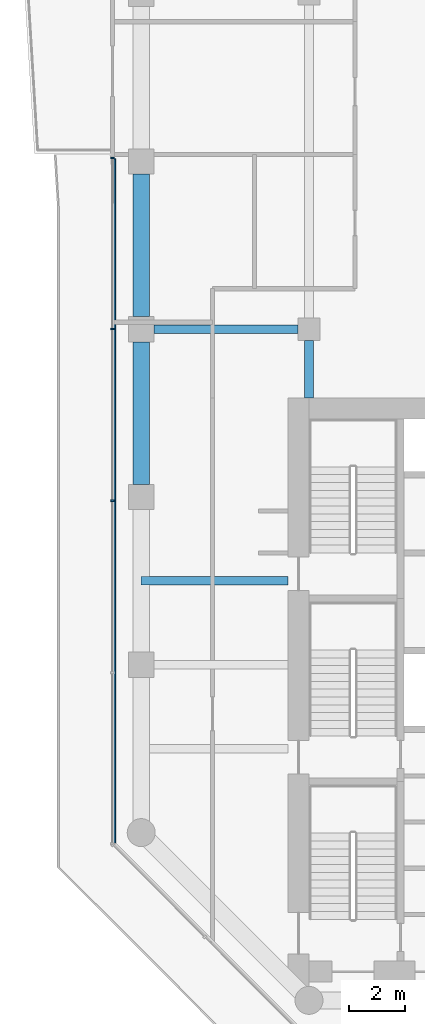
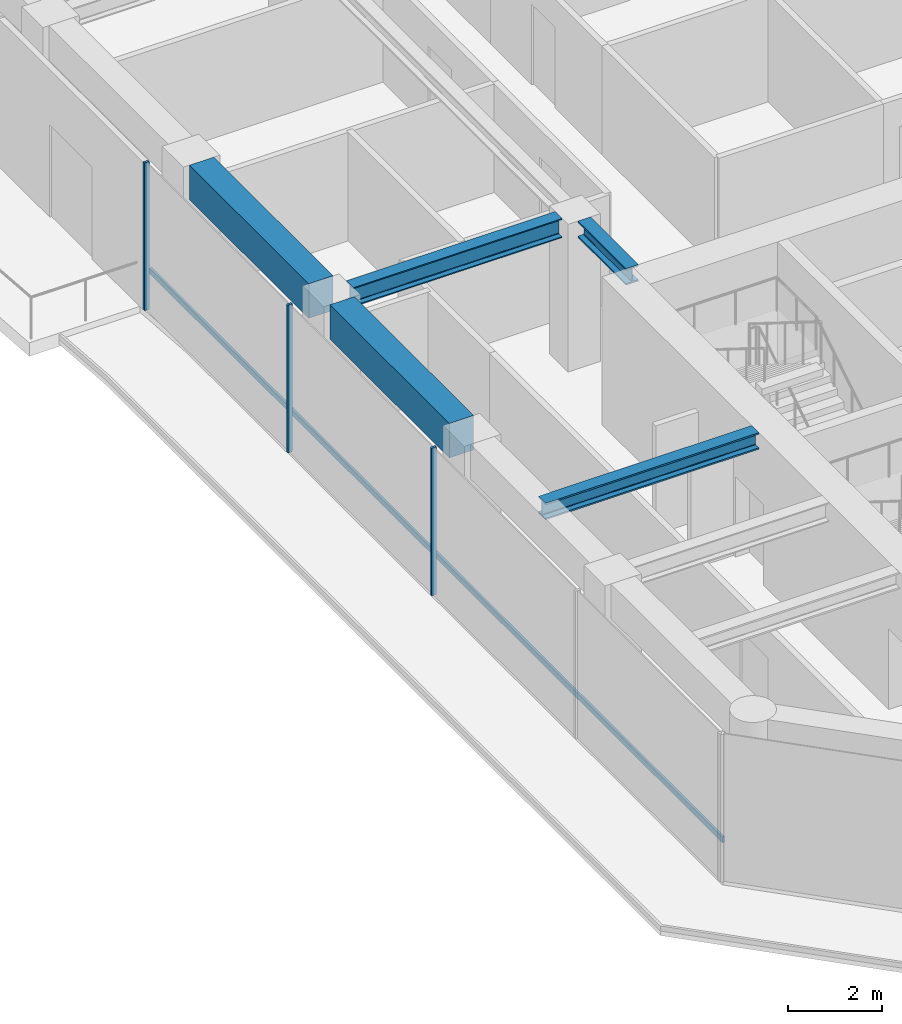
# One storey, part 4 of 23: 5 beams, 4 members, 1 element without a shape of its own.
"""IFC4 building model written with IfcOpenShell, lengths in metres."""

from ifc_helpers import new_model, si_unit, direction, frame, origin, origin_2d, place, context, subcontext, project, spatial, rectangle, i_section, extrude, material, layer, layer_set, material_profile, profile_set, type_object, element, aggregate, save


model = new_model("IFC4")

# Units and contexts
model_context = context("Model", 3, precision=1e-05, world=origin(), true_north=direction((0.0, 1.0)))
body_context = subcontext(model_context, "Body", "Model", "MODEL_VIEW")
ifc_project = project(units=[si_unit("LENGTHUNIT", "METRE"), si_unit("AREAUNIT", "SQUARE_METRE"), si_unit("VOLUMEUNIT", "CUBIC_METRE"), si_unit("PLANEANGLEUNIT", "RADIAN"), si_unit("MASSUNIT", "GRAM", prefix="KILO")], contexts=[model_context])

# Site, building, storey
site_placement = place(None, origin())
site = spatial("IfcSite", under=ifc_project, at=site_placement, CompositionType="ELEMENT")
building_placement = place(site_placement, origin())
building = spatial("IfcBuilding", under=site, at=building_placement, Name="Welwitschia Terrace Campus", CompositionType="ELEMENT")
storey_placement = place(building_placement, frame((0.0, 0.0, 96.199951171875)))
storey = spatial("IfcBuildingStorey", under=building, at=storey_placement, Name="L21", CompositionType="ELEMENT", Elevation=96.199951171875)

# Beams
ifc_material_1 = material(Name="Steel S355", Category="steel")
ifc_material_profile_1 = material_profile(ifc_material_1, i_section(OverallWidth=0.306884765625, OverallDepth=0.431884765625, WebThickness=0.02099609375, FlangeThickness=0.0400390625, FilletRadius=0.027099609375, at=origin_2d()))
ifc_profile_set_1 = profile_set([ifc_material_profile_1], Name="Steel S355")
beam_type_1 = type_object("IfcBeamType", Name="Interior girder HE 400 M", PredefinedType="BEAM", material=ifc_profile_set_1)
beam_1_placement = place(storey_placement, frame((-0.010009765625, 19.0, 3.634033203125), z_axis=(1.0, 0.0, 0.0), x_axis=(0.0, 1.0, 0.0)))
element("IfcBeam", 1, at=beam_1_placement, inside=storey, type_object=beam_type_1, Name="Girder GB3", PredefinedType="BEAM", context=body_context, shape_type="SweptSolid", body=[
    extrude(i_section(OverallWidth=0.306884765625, OverallDepth=0.431884765625, WebThickness=0.02099609375, FlangeThickness=0.0400390625, FilletRadius=0.027099609375, at=origin_2d()), origin(), (0.0, 0.0, 1.0), 5.259033203125),
])
beam_2_placement = place(storey_placement, frame((6.0, 25.551025390625, 3.634033203125), z_axis=(0.0, 1.0, 0.0), x_axis=(-1.0, 0.0, 0.0)))
element("IfcBeam", 2, at=beam_2_placement, inside=storey, type_object=beam_type_1, Name="Girder GB3", PredefinedType="BEAM", context=body_context, shape_type="SweptSolid", body=[
    extrude(i_section(OverallWidth=0.306884765625, OverallDepth=0.431884765625, WebThickness=0.02099609375, FlangeThickness=0.0400390625, FilletRadius=0.027099609375, at=origin_2d()), origin(), (0.0, 0.0, 1.0), 2.048583984375),
])

# Curtain wall, members
ifc_material_2 = material(Name="Bronze anodised aluminium", Category="aluminium")
ifc_layer = layer(ifc_material_2, 0.1201171875)
ifc_layer_set = layer_set([ifc_layer], Name="Bronze anodised aluminium")
curtain_wall_type = type_object("IfcCurtainWallType", Name="Curtain wall CW2 tower 6000", PredefinedType="NOTDEFINED", material=ifc_layer_set)
curtain_wall_placement = place(storey_placement, origin())
curtain_wall = element("IfcCurtainWall", 3, at=curtain_wall_placement, inside=storey, type_object=curtain_wall_type, Name="CW L21.10.6", PredefinedType="NOTDEFINED")
ifc_material_3 = material(Name="Bronze anodised aluminium", Category="aluminium")
ifc_material_profile_2 = material_profile(ifc_material_3, rectangle(XDim=0.1201171875, YDim=0.06005859375, at=origin_2d()))
ifc_profile_set_2 = profile_set([ifc_material_profile_2], Name="Bronze anodised aluminium")
member_type_1 = type_object("IfcMemberType", Name="Mullion 60x120", PredefinedType="MULLION", material=ifc_profile_set_2)
member_1_placement = place(storey_placement, frame((-1.030029296875, 34.1259765625, 0.0), z_axis=(0.0, 0.0, 1.0), x_axis=(1.0, 0.0, 0.0)))
member_1 = element("IfcMember", 4, at=member_1_placement, type_object=member_type_1, Name="Mullion L21.10.6.0", PredefinedType="MULLION", context=body_context, shape_type="SweptSolid", body=[
    extrude(rectangle(XDim=0.1201171875, YDim=0.06005859375, at=origin_2d()), origin(), (0.0, 0.0, 1.0), 3.85009765625),
])
member_2_placement = place(storey_placement, frame((-1.030029296875, 28.01025390625, 0.0), z_axis=(0.0, 0.0, 1.0), x_axis=(1.0, 0.0, 0.0)))
member_2 = element("IfcMember", 5, at=member_2_placement, type_object=member_type_1, Name="Mullion L21.10.6.1", PredefinedType="MULLION", context=body_context, shape_type="SweptSolid", body=[
    extrude(rectangle(XDim=0.1201171875, YDim=0.06005859375, at=origin_2d()), origin(), (0.0, 0.0, 1.0), 3.85009765625),
])
member_3_placement = place(storey_placement, frame((-1.030029296875, 21.86474609375, 0.0), z_axis=(0.0, 0.0, 1.0), x_axis=(1.0, 0.0, 0.0)))
member_3 = element("IfcMember", 6, at=member_3_placement, type_object=member_type_1, Name="Mullion L21.10.6.2", PredefinedType="MULLION", context=body_context, shape_type="SweptSolid", body=[
    extrude(rectangle(XDim=0.1201171875, YDim=0.06005859375, at=origin_2d()), origin(), (0.0, 0.0, 1.0), 3.85009765625),
])

# Beams
ifc_material_4 = material(Name="Steel S355", Category="steel")
ifc_material_profile_3 = material_profile(ifc_material_4, i_section(OverallWidth=0.300048828125, OverallDepth=0.5, WebThickness=0.014404296875, FlangeThickness=0.028076171875, FilletRadius=0.027099609375, at=origin_2d()))
ifc_profile_set_3 = profile_set([ifc_material_profile_3], Name="Steel S355")
beam_type_2 = type_object("IfcBeamType", Name="Primary beam HE 500 B", PredefinedType="BEAM", material=ifc_profile_set_3)
beam_3_placement = place(storey_placement, frame((0.450439453125, 28.0, 3.60009765625), z_axis=(1.0, 0.0, 0.0), x_axis=(0.0, 1.0, 0.0)))
element("IfcBeam", 7, at=beam_3_placement, inside=storey, type_object=beam_type_2, Name="Primary beam PB3", PredefinedType="BEAM", context=body_context, shape_type="SweptSolid", body=[
    extrude(i_section(OverallWidth=0.300048828125, OverallDepth=0.5, WebThickness=0.014404296875, FlangeThickness=0.028076171875, FilletRadius=0.027099609375, at=origin_2d()), origin(), (0.0, 0.0, 1.0), 5.149169921875),
])
ifc_material_5 = material(Name="Concrete C60/75", Category="concrete")
ifc_material_profile_4 = material_profile(ifc_material_5, rectangle(XDim=0.60009765625, YDim=0.89990234375, at=origin_2d()))
ifc_profile_set_4 = profile_set([ifc_material_profile_4], Name="Concrete C60/75")
beam_type_3 = type_object("IfcBeamType", Name="Ring spandrel 600x900", PredefinedType="SPANDREL", material=ifc_profile_set_4)
for number, where, z_axis, x_axis, name in (
    (8, (0.0, 33.549560546875, 3.400146484375), (0.0, -1.0, 0.0), (1.0, 0.0, 0.0), "Spandrel SP2"),
    (9, (0.0, 27.549560546875, 3.400146484375), (0.0, -1.0, 0.0), (1.0, 0.0, 0.0), "Spandrel SP2"),
):
    element("IfcBeam", number, at=place(storey_placement, frame(where, z_axis=z_axis, x_axis=x_axis)), inside=storey, type_object=beam_type_3, Name=name, PredefinedType="SPANDREL", context=body_context, shape_type="SweptSolid", body=[
        extrude(rectangle(XDim=0.60009765625, YDim=0.89990234375, at=origin_2d()), origin(), (0.0, 0.0, 1.0), 5.09912109375),
    ])

# Member
ifc_material_6 = material(Name="Bronze anodised aluminium", Category="aluminium")
ifc_material_profile_5 = material_profile(ifc_material_6, rectangle(XDim=0.06005859375, YDim=0.14990234375, at=origin_2d()))
ifc_profile_set_5 = profile_set([ifc_material_profile_5], Name="Bronze anodised aluminium")
member_type_2 = type_object("IfcMemberType", Name="Transom 60x150", PredefinedType="USERDEFINED", material=ifc_profile_set_5)
member_4_placement = place(storey_placement, frame((-0.93994140625, 34.095947265625, 1.0), z_axis=(0.0, -1.0, 0.0), x_axis=(1.0, 0.0, 0.0)))
member_4 = element("IfcMember", 10, at=member_4_placement, type_object=member_type_2, Name="Transom L21.10.6", ObjectType="TRANSOM", PredefinedType="USERDEFINED", context=body_context, shape_type="SweptSolid", body=[
    extrude(rectangle(XDim=0.06005859375, YDim=0.14990234375, at=origin_2d()), origin(), (0.0, 0.0, 1.0), 24.462646484375),
])

aggregate(curtain_wall, [member_1, member_2, member_3, member_4])

save(model, "model.ifc")
